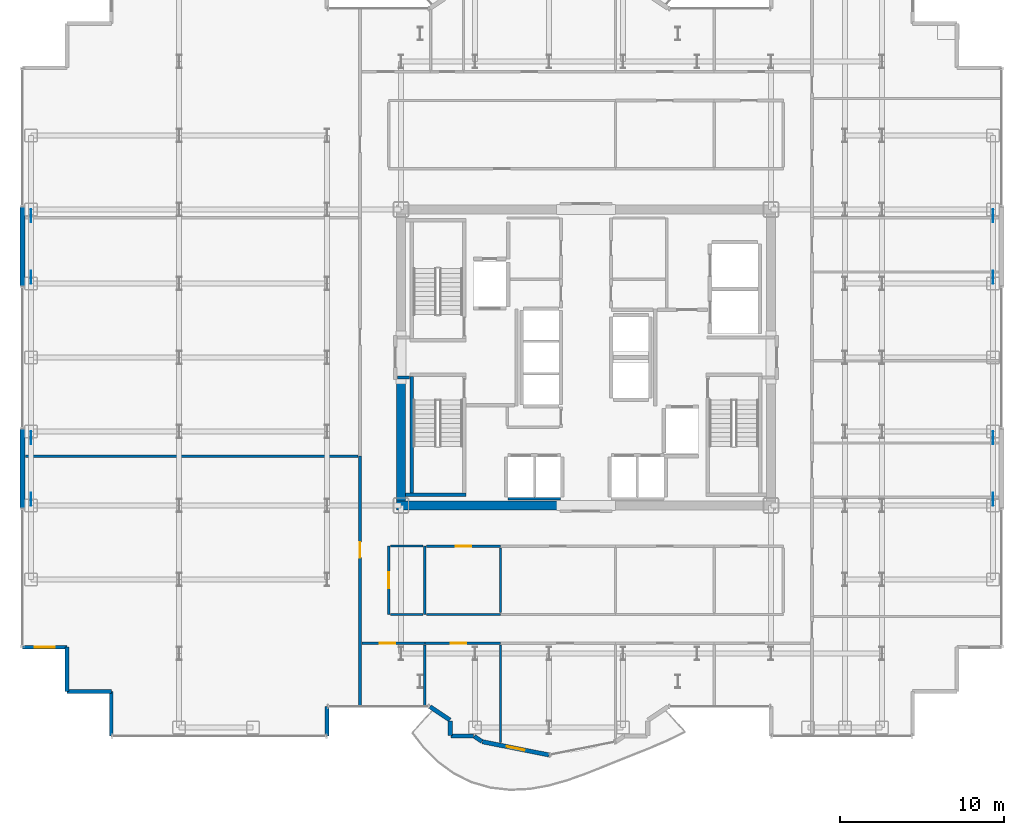
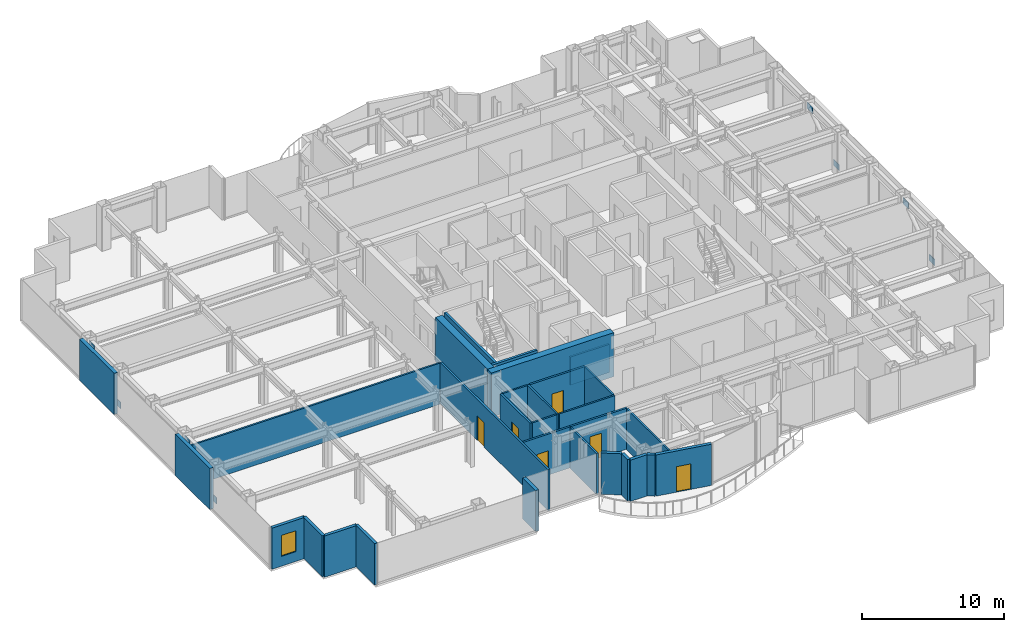
# One storey, part 18 of 26: 31 walls, 8 plates, 6 doors, 1 window, 7 openings.
"""IFC4 building model written with IfcOpenShell, lengths in metres."""

from ifc_helpers import new_model, si_unit, direction, frame, frame_2d, origin, origin_2d, place, context, subcontext, project, spatial, rectangle, extrude, source, transform, mapped, material, layer, layer_set, type_object, element, fill, save


model = new_model("IFC4")

# Units and contexts
model_context = context("Model", 3, precision=1e-05, world=origin(), true_north=direction((0.0, 1.0)))
body_context = subcontext(model_context, "Body", "Model", "MODEL_VIEW")
ifc_project = project(units=[si_unit("LENGTHUNIT", "METRE"), si_unit("AREAUNIT", "SQUARE_METRE"), si_unit("VOLUMEUNIT", "CUBIC_METRE"), si_unit("PLANEANGLEUNIT", "RADIAN"), si_unit("MASSUNIT", "GRAM", prefix="KILO")], contexts=[model_context])

# Site, building, storey
site_placement = place(None, origin())
site = spatial("IfcSite", under=ifc_project, at=site_placement, CompositionType="ELEMENT")
building_placement = place(site_placement, origin())
building = spatial("IfcBuilding", under=site, at=building_placement, Name="Nefas-Gora Pilgrimage Tower", CompositionType="ELEMENT")
storey_placement = place(building_placement, frame((0.0, 0.0, 171.60009765625)))
storey = spatial("IfcBuildingStorey", under=building, at=storey_placement, Name="L42", CompositionType="ELEMENT", Elevation=171.60009765625)

# Plates
ifc_material_1 = material(Name="Steel S460", Category="steel")
ifc_layer_1 = layer(ifc_material_1, 0.050048828125)
ifc_layer_set_1 = layer_set([ifc_layer_1], Name="Steel S460")
plate_type = type_object("IfcPlateType", Name="PLT-NODE-N08", PredefinedType="USERDEFINED", material=ifc_layer_set_1)
shared_shape_1 = source(origin(), body_context, "Body", "SweptSolid", [
    extrude(rectangle(XDim=0.780029296875, YDim=0.0380859375, at=origin_2d()), origin(), (0.0, 0.0, 1.0), 0.5400390625),
])
for number, where, z_axis, x_axis, name in (
    (1, (-33.75, -8.612060546875, 0.157470703125), (0.0, 0.0, 1.0), (0.0, 1.0, 0.0), "Structural Node Gusset Plate N08 (L42)"),
    (2, (-33.75, -4.887939453125, 2.822265625), (0.0, 0.0, 1.0), (0.0, 1.0, 0.0), "Structural Node Gusset Plate N08 (L42)"),
    (3, (-33.75, 4.887939453125, 0.157470703125), (0.0, 0.0, 1.0), (0.0, 1.0, 0.0), "Structural Node Gusset Plate N08 (L42)"),
    (4, (-33.75, 8.612060546875, 2.822265625), (0.0, 0.0, 1.0), (0.0, 1.0, 0.0), "Structural Node Gusset Plate N08 (L42)"),
    (5, (24.75, -8.612060546875, 0.157470703125), (0.0, 0.0, 1.0), (0.0, 1.0, 0.0), "Structural Node Gusset Plate N08 (L42)"),
    (6, (24.75, -4.887939453125, 2.822265625), (0.0, 0.0, 1.0), (0.0, 1.0, 0.0), "Structural Node Gusset Plate N08 (L42)"),
    (7, (24.75, 4.887939453125, 0.157470703125), (0.0, 0.0, 1.0), (0.0, 1.0, 0.0), "Structural Node Gusset Plate N08 (L42)"),
    (8, (24.75, 8.612060546875, 2.822265625), (0.0, 0.0, 1.0), (0.0, 1.0, 0.0), "Structural Node Gusset Plate N08 (L42)"),
):
    element("IfcPlate", number, at=place(storey_placement, frame(where, z_axis=z_axis, x_axis=x_axis)), inside=storey, type_object=plate_type, Name=name, ObjectType="GUSSET_PLATE", PredefinedType="USERDEFINED", context=body_context, shape_type="MappedRepresentation", body=[
        mapped(shared_shape_1, transform((0.0, 0.0, 0.0), x_axis=(1.0, 0.0, 0.0), y_axis=(0.0, 1.0, 0.0), z_axis=(0.0, 0.0, 1.0), scale=1.0)),
    ])

# Walls
ifc_material_2 = material(Name="Concrete C60/75", Category="concrete")
ifc_layer_2 = layer(ifc_material_2, 0.550048828125)
ifc_layer_set_2 = layer_set([ifc_layer_2], Name="Concrete C60/75")
wall_type_1 = type_object("IfcWallType", Name="SW-CORE-550", PredefinedType="SHEAR", material=ifc_layer_set_2)
shared_shape_2 = source(origin(), body_context, "Body", "SweptSolid", [
    extrude(rectangle(XDim=9.974853515625, YDim=0.550048828125, at=frame_2d((4.9873046875, 0.0))), origin(), (0.0, 0.0, 1.0), 3.7998046875),
])
wall_1_placement = place(storey_placement, frame((-11.52490234375, -9.0, 0.0), z_axis=(0.0, 0.0, 1.0), x_axis=(1.0, 0.0, 0.0)))
element("IfcWall", 9, at=wall_1_placement, inside=storey, type_object=wall_type_1, Name="L42 Core Shear Wall S-West", PredefinedType="SHEAR", context=body_context, shape_type="MappedRepresentation", body=[
    mapped(shared_shape_2, transform((0.0, 0.0, 0.0), x_axis=(1.0, 0.0, 0.0), y_axis=(0.0, 1.0, 0.0), z_axis=(0.0, 0.0, 1.0), scale=1.0)),
])
shared_shape_3 = source(origin(), body_context, "Body", "SweptSolid", [
    extrude(rectangle(XDim=7.375, YDim=0.550048828125, at=frame_2d((3.6875, 0.0))), origin(), (0.0, 0.0, 1.0), 3.7998046875),
])
wall_2_placement = place(storey_placement, frame((-11.25, -8.72509765625, 0.0), z_axis=(0.0, 0.0, 1.0), x_axis=(0.0, 1.0, 0.0)))
element("IfcWall", 10, at=wall_2_placement, inside=storey, type_object=wall_type_1, Name="L42 Core Shear Wall W-South", PredefinedType="SHEAR", context=body_context, shape_type="MappedRepresentation", body=[
    mapped(shared_shape_3, transform((0.0, 0.0, 0.0), x_axis=(1.0, 0.0, 0.0), y_axis=(0.0, 1.0, 0.0), z_axis=(0.0, 0.0, 1.0), scale=1.0)),
])
ifc_material_3 = material(Name="Precast concrete C40/50", Category="concrete")
ifc_layer_3 = layer(ifc_material_3, 0.260009765625)
ifc_layer_set_3 = layer_set([ifc_layer_3], Name="Precast concrete C40/50")
wall_type_2 = type_object("IfcWallType", Name="EW-PORTAL-260", PredefinedType="SOLIDWALL", material=ifc_layer_set_3)
shared_shape_4 = source(origin(), body_context, "Body", "SweptSolid", [
    extrude(rectangle(XDim=1.800048828125, YDim=0.260009765625, at=frame_2d((0.89990234375, 0.0))), origin(), (0.0, 0.0, 1.0), 3.5498046875),
])
wall_3_placement = place(storey_placement, frame((-15.75, -23.02001953125, 0.0), z_axis=(0.0, 0.0, 1.0), x_axis=(0.0, 1.0, 0.0)))
element("IfcWall", 11, at=wall_3_placement, inside=storey, type_object=wall_type_2, Name="L42 Lobe Shoulder Precast Spandrel Pier 33", PredefinedType="SOLIDWALL", context=body_context, shape_type="MappedRepresentation", body=[
    mapped(shared_shape_4, transform((0.0, 0.0, 0.0), x_axis=(1.0, 0.0, 0.0), y_axis=(0.0, 1.0, 0.0), z_axis=(0.0, 0.0, 1.0), scale=1.0)),
])

# Wall, opening, window
ifc_material_4 = material(Name="Precast concrete C45/55", Category="concrete")
ifc_layer_4 = layer(ifc_material_4, 0.239990234375)
ifc_layer_set_4 = layer_set([ifc_layer_4], Name="Precast concrete C45/55")
wall_type_3 = type_object("IfcWallType", Name="EW-SERR-240", PredefinedType="SHEAR", material=ifc_layer_set_4)
shared_shape_5 = source(origin(), body_context, "Body", "SweptSolid", [
    extrude(rectangle(XDim=2.699951171875, YDim=0.239990234375, at=frame_2d((1.35009765625, 0.0))), origin(), (0.0, 0.0, 1.0), 3.5498046875),
])
wall_4_placement = place(storey_placement, frame((-34.27001953125, -17.6201171875, 0.0), z_axis=(0.0, 0.0, 1.0), x_axis=(1.0, 0.0, 0.0)))
wall_4 = element("IfcWall", 12, at=wall_4_placement, inside=storey, type_object=wall_type_3, Name="L42 Serrated Corner Shear Pier Wall 29", PredefinedType="SHEAR", context=body_context, shape_type="MappedRepresentation", body=[
    mapped(shared_shape_5, transform((0.0, 0.0, 0.0), x_axis=(1.0, 0.0, 0.0), y_axis=(0.0, 1.0, 0.0), z_axis=(0.0, 0.0, 1.0), scale=1.0)),
])
opening_1_placement = place(wall_4_placement, frame((0.75, 0.0, 0.85009765625)))
opening_1 = element("IfcOpeningElement", 13, at=opening_1_placement, cuts=wall_4, Name="Opening W-V1", PredefinedType="OPENING", context=body_context, shape_type="SweptSolid", body=[
    extrude(rectangle(XDim=1.199951171875, YDim=1.800048828125, at=frame_2d((0.60009765625, 0.89990234375))), frame((0.0, 0.1298828125, 0.0), z_axis=(0.0, -1.0, 0.0), x_axis=(1.0, 0.0, 0.0)), (0.0, 0.0, 1.0), 0.260009765625),
])
ifc_material_5 = material(Name="Dark ceramic-fritted operable aluminium-glass window", Category="aluminium")
window_type = type_object("IfcWindowType", Name="WIN-VENT-1200x1800", PartitioningType="SINGLE_PANEL", PredefinedType="WINDOW", material=ifc_material_5)
shared_shape_6 = source(origin(), body_context, "Body", "SweptSolid", [
    extrude(rectangle(XDim=1.199951171875, YDim=1.800048828125, at=frame_2d((0.60009765625, 0.89990234375))), frame((0.0, 0.030029296875, 0.0), z_axis=(0.0, -1.0, 0.0), x_axis=(1.0, 0.0, 0.0)), (0.0, 0.0, 1.0), 0.06005859375),
])
window_placement = place(opening_1_placement, origin())
window = element("IfcWindow", 14, at=window_placement, inside=storey, type_object=window_type, Name="L42 Operable Parallel-Outswing Window 29", OverallHeight=1.800048828125, OverallWidth=1.199951171875, PartitioningType="SINGLE_PANEL", PredefinedType="WINDOW", context=body_context, shape_type="MappedRepresentation", body=[
    mapped(shared_shape_6, transform((0.0, 0.0, 0.0), x_axis=(1.0, 0.0, 0.0), y_axis=(0.0, 1.0, 0.0), z_axis=(0.0, 0.0, 1.0), scale=1.0)),
])
fill(opening_1, window)

# Walls
for number, where, z_axis, x_axis, name in (
    (15, (-31.570068359375, -17.6201171875, 0.0), (0.0, 0.0, 1.0), (0.0, -1.0, 0.0), "L42 Serrated Corner Shear Pier Wall 30"),
    (16, (-31.570068359375, -20.320068359375, 0.0), (0.0, 0.0, 1.0), (1.0, 0.0, 0.0), "L42 Serrated Corner Shear Pier Wall 31"),
    (17, (-28.8701171875, -20.320068359375, 0.0), (0.0, 0.0, 1.0), (0.0, -1.0, 0.0), "L42 Serrated Corner Shear Pier Wall 32"),
):
    element("IfcWall", number, at=place(storey_placement, frame(where, z_axis=z_axis, x_axis=x_axis)), inside=storey, type_object=wall_type_3, Name=name, PredefinedType="SHEAR", context=body_context, shape_type="MappedRepresentation", body=[
        mapped(shared_shape_5, transform((0.0, 0.0, 0.0), x_axis=(1.0, 0.0, 0.0), y_axis=(0.0, 1.0, 0.0), z_axis=(0.0, 0.0, 1.0), scale=1.0)),
    ])
shared_shape_7 = source(origin(), body_context, "Body", "SweptSolid", [
    extrude(rectangle(XDim=1.468994140625, YDim=0.260009765625, at=frame_2d((0.734375, 0.0))), origin(), (0.0, 0.0, 1.0), 3.5498046875),
])
wall_5_placement = place(storey_placement, frame((-9.49462890625, -21.235595703125, 0.0), z_axis=(0.0, 0.0, 1.0), x_axis=(0.831461760506, -0.555581983884, 0.0)))
element("IfcWall", 18, at=wall_5_placement, inside=storey, type_object=wall_type_2, Name="L42 Lobe Shoulder Precast Spandrel Pier 34", PredefinedType="SOLIDWALL", context=body_context, shape_type="MappedRepresentation", body=[
    mapped(shared_shape_7, transform((0.0, 0.0, 0.0), x_axis=(1.0, 0.0, 0.0), y_axis=(0.0, 1.0, 0.0), z_axis=(0.0, 0.0, 1.0), scale=1.0)),
])
shared_shape_8 = source(origin(), body_context, "Body", "SweptSolid", [
    extrude(rectangle(XDim=0.896728515625, YDim=0.260009765625, at=frame_2d((0.4482421875, 0.0))), origin(), (0.0, 0.0, 1.0), 3.5498046875),
])
wall_6_placement = place(storey_placement, frame((-8.25, -22.09521484375, 0.0), z_axis=(0.0, 0.0, 1.0), x_axis=(0.0, -1.0, 0.0)))
element("IfcWall", 19, at=wall_6_placement, inside=storey, type_object=wall_type_2, Name="L42 Lobe Shoulder Precast Spandrel Pier 35", PredefinedType="SOLIDWALL", context=body_context, shape_type="MappedRepresentation", body=[
    mapped(shared_shape_8, transform((0.0, 0.0, 0.0), x_axis=(1.0, 0.0, 0.0), y_axis=(0.0, 1.0, 0.0), z_axis=(0.0, 0.0, 1.0), scale=1.0)),
])
shared_shape_9 = source(origin(), body_context, "Body", "SweptSolid", [
    extrude(rectangle(XDim=1.369873046875, YDim=0.260009765625, at=frame_2d((0.68505859375, 0.0))), origin(), (0.0, 0.0, 1.0), 3.5498046875),
])
wall_7_placement = place(storey_placement, frame((-8.221923828125, -23.02001953125, 0.0), z_axis=(0.0, 0.0, 1.0), x_axis=(1.0, 0.0, 0.0)))
element("IfcWall", 20, at=wall_7_placement, inside=storey, type_object=wall_type_2, Name="L42 Lobe Shoulder Precast Spandrel Pier 36", PredefinedType="SOLIDWALL", context=body_context, shape_type="MappedRepresentation", body=[
    mapped(shared_shape_9, transform((0.0, 0.0, 0.0), x_axis=(1.0, 0.0, 0.0), y_axis=(0.0, 1.0, 0.0), z_axis=(0.0, 0.0, 1.0), scale=1.0)),
])
shared_shape_10 = source(origin(), body_context, "Body", "SweptSolid", [
    extrude(rectangle(XDim=0.5654296875, YDim=0.260009765625, at=frame_2d((0.28271484375, 0.0))), origin(), (0.0, 0.0, 1.0), 3.5498046875),
])
wall_8_placement = place(storey_placement, frame((-6.80078125, -23.03564453125, 0.0), z_axis=(0.0, 0.0, 1.0), x_axis=(0.831651492666, -0.555297933317, 0.0)))
element("IfcWall", 21, at=wall_8_placement, inside=storey, type_object=wall_type_2, Name="L42 Lobe Shoulder Precast Spandrel Pier 37", PredefinedType="SOLIDWALL", context=body_context, shape_type="MappedRepresentation", body=[
    mapped(shared_shape_10, transform((0.0, 0.0, 0.0), x_axis=(1.0, 0.0, 0.0), y_axis=(0.0, 1.0, 0.0), z_axis=(0.0, 0.0, 1.0), scale=1.0)),
])
shared_shape_11 = source(origin(), body_context, "Body", "SweptSolid", [
    extrude(rectangle(XDim=4.8798828125, YDim=0.300048828125, at=frame_2d((2.43994140625, 0.0))), origin(), (0.0, 0.0, 1.0), 3.5498046875),
])
for number, where, z_axis, x_axis, name in (
    (22, (-34.27001953125, -9.18994140625, 0.0), (0.0, 0.0, 1.0), (0.0, 1.0, 0.0), "L42 Braced-Tube Precast Shear Cladding 1"),
    (23, (-34.27001953125, 4.31005859375, 0.0), (0.0, 0.0, 1.0), (0.0, 1.0, 0.0), "L42 Braced-Tube Precast Shear Cladding 2"),
):
    element("IfcWall", number, at=place(storey_placement, frame(where, z_axis=z_axis, x_axis=x_axis)), inside=storey, type_object=wall_type_3, Name=name, PredefinedType="SHEAR", context=body_context, shape_type="MappedRepresentation", body=[
        mapped(shared_shape_11, transform((0.0, 0.0, 0.0), x_axis=(1.0, 0.0, 0.0), y_axis=(0.0, 1.0, 0.0), z_axis=(0.0, 0.0, 1.0), scale=1.0)),
    ])

# Wall, opening, door
shared_shape_12 = source(origin(), body_context, "Body", "SweptSolid", [
    extrude(rectangle(XDim=4.136962890625, YDim=0.260009765625, at=frame_2d((2.068359375, 0.0))), origin(), (0.0, 0.0, 1.0), 3.5498046875),
])
wall_9_placement = place(storey_placement, frame((-6.307373046875, -23.365234375, 0.0), z_axis=(0.0, 0.0, 1.0), x_axis=(0.980782170794, -0.195105954428, 0.0)))
wall_9 = element("IfcWall", 24, at=wall_9_placement, inside=storey, type_object=wall_type_2, Name="L42 Insulated Terrace Portal Wall 38", PredefinedType="SOLIDWALL", context=body_context, shape_type="MappedRepresentation", body=[
    mapped(shared_shape_12, transform((0.0, 0.0, 0.0), x_axis=(1.0, 0.0, 0.0), y_axis=(0.0, 1.0, 0.0), z_axis=(0.0, 0.0, 1.0), scale=1.0)),
])
opening_2_placement = place(wall_9_placement, frame((1.518310546875, 0.0, 0.0)))
opening_2 = element("IfcOpeningElement", 25, at=opening_2_placement, cuts=wall_9, Name="Opening ED-B1", PredefinedType="OPENING", context=body_context, shape_type="SweptSolid", body=[
    extrude(rectangle(XDim=1.10009765625, YDim=2.199951171875, at=frame_2d((0.550048828125, 1.10009765625))), frame((0.0, 0.139892578125, 0.0), z_axis=(0.0, -1.0, 0.0), x_axis=(1.0, 0.0, 0.0)), (0.0, 0.0, 1.0), 0.280029296875),
])
ifc_material_6 = material(Name="Thermally broken glazed aluminium balcony door", Category="aluminium")
door_type_1 = type_object("IfcDoorType", Name="DR-EXT-BAL-1100", OperationType="NOTDEFINED", PredefinedType="DOOR", material=ifc_material_6)
shared_shape_13 = source(origin(), body_context, "Body", "SweptSolid", [
    extrude(rectangle(XDim=1.10009765625, YDim=2.199951171875, at=frame_2d((0.550048828125, 1.10009765625))), frame((0.0, 0.02490234375, 0.0), z_axis=(0.0, -1.0, 0.0), x_axis=(1.0, 0.0, 0.0)), (0.0, 0.0, 1.0), 0.050048828125),
])
door_1_placement = place(opening_2_placement, origin())
door_1 = element("IfcDoor", 26, at=door_1_placement, inside=storey, type_object=door_type_1, Name="L42 Exterior Door (L42 S Lobe Wave Balcony)", OperationType="SINGLE_SWING_RIGHT", OverallHeight=2.199951171875, OverallWidth=1.10009765625, PredefinedType="DOOR", context=body_context, shape_type="MappedRepresentation", body=[
    mapped(shared_shape_13, transform((0.0, 0.0, 0.0), x_axis=(1.0, 0.0, 0.0), y_axis=(0.0, 1.0, 0.0), z_axis=(0.0, 0.0, 1.0), scale=1.0)),
])
fill(opening_2, door_1)

# Walls
ifc_material_7 = material(Name="Concrete C45/55", Category="concrete")
ifc_layer_5 = layer(ifc_material_7, 0.199951171875)
ifc_layer_set_5 = layer_set([ifc_layer_5], Name="Concrete C45/55")
wall_type_4 = type_object("IfcWallType", Name="IW-STAIR-200", PredefinedType="SOLIDWALL", material=ifc_layer_set_5)
shared_shape_14 = source(origin(), body_context, "Body", "SweptSolid", [
    extrude(rectangle(XDim=7.10009765625, YDim=0.199951171875, at=frame_2d((3.550048828125, 0.0))), origin(), (0.0, 0.0, 1.0), 3.7998046875),
])
wall_10_placement = place(storey_placement, frame((-10.60009765625, -1.14990234375, 0.0), z_axis=(0.0, 0.0, 1.0), x_axis=(0.0, -1.0, 0.0)))
element("IfcWall", 27, at=wall_10_placement, inside=storey, type_object=wall_type_4, Name="L42 Stairwell Shear Wall ST-03-left", PredefinedType="SOLIDWALL", context=body_context, shape_type="MappedRepresentation", body=[
    mapped(shared_shape_14, transform((0.0, 0.0, 0.0), x_axis=(1.0, 0.0, 0.0), y_axis=(0.0, 1.0, 0.0), z_axis=(0.0, 0.0, 1.0), scale=1.0)),
])
shared_shape_15 = source(origin(), body_context, "Body", "SweptSolid", [
    extrude(rectangle(XDim=3.679931640625, YDim=0.199951171875, at=frame_2d((1.83984375, 0.0))), origin(), (0.0, 0.0, 1.0), 3.7998046875),
])
wall_11_placement = place(storey_placement, frame((-10.97998046875, -8.35009765625, 0.0), z_axis=(0.0, 0.0, 1.0), x_axis=(1.0, 0.0, 0.0)))
element("IfcWall", 28, at=wall_11_placement, inside=storey, type_object=wall_type_4, Name="L42 Stairwell Shear Wall ST-03-far", PredefinedType="SOLIDWALL", context=body_context, shape_type="MappedRepresentation", body=[
    mapped(shared_shape_15, transform((0.0, 0.0, 0.0), x_axis=(1.0, 0.0, 0.0), y_axis=(0.0, 1.0, 0.0), z_axis=(0.0, 0.0, 1.0), scale=1.0)),
])
ifc_material_8 = material(Name="Gypsum acoustic stud partition")
ifc_layer_6 = layer(ifc_material_8, 0.159912109375)
ifc_layer_set_6 = layer_set([ifc_layer_6], Name="Gypsum acoustic stud partition")
wall_type_5 = type_object("IfcWallType", Name="IW-CORR-160", PredefinedType="PARTITIONING", material=ifc_layer_set_6)
shared_shape_16 = source(origin(), body_context, "Body", "SweptSolid", [
    extrude(rectangle(XDim=3.199951171875, YDim=0.159912109375, at=frame_2d((1.60009765625, 0.0))), origin(), (0.0, 0.0, 1.0), 2.4248046875),
])
wall_12_placement = place(storey_placement, frame((-4.75, -8.580078125, 0.0), z_axis=(0.0, 0.0, 1.0), x_axis=(1.0, 0.0, 0.0)))
element("IfcWall", 29, at=wall_12_placement, inside=storey, type_object=wall_type_5, Name="L42 Hoistway Wall PL2-W-S", PredefinedType="PARTITIONING", context=body_context, shape_type="MappedRepresentation", body=[
    mapped(shared_shape_16, transform((0.0, 0.0, 0.0), x_axis=(1.0, 0.0, 0.0), y_axis=(0.0, 1.0, 0.0), z_axis=(0.0, 0.0, 1.0), scale=1.0)),
])
ifc_material_9 = material(Name="Gypsum fire-rated shaftwall")
ifc_layer_7 = layer(ifc_material_9, 0.199951171875)
ifc_layer_set_7 = layer_set([ifc_layer_7], Name="Gypsum fire-rated shaftwall")
wall_type_6 = type_object("IfcWallType", Name="IW-FFLOB-200", PredefinedType="PARTITIONING", material=ifc_layer_set_7)
shared_shape_17 = source(origin(), body_context, "Body", "SweptSolid", [
    extrude(rectangle(XDim=0.719970703125, YDim=0.199951171875, at=frame_2d((0.35986328125, 0.0))), origin(), (0.0, 0.0, 1.0), 3.534912109375),
])
wall_13_placement = place(storey_placement, frame((-11.4599609375, -1.219970703125, 0.0), z_axis=(0.0, 0.0, 1.0), x_axis=(1.0, 0.0, 0.0)))
element("IfcWall", 30, at=wall_13_placement, inside=storey, type_object=wall_type_6, Name="L42 FF Lobby West Throat S Wall 8", PredefinedType="PARTITIONING", context=body_context, shape_type="MappedRepresentation", body=[
    mapped(shared_shape_17, transform((0.0, 0.0, 0.0), x_axis=(1.0, 0.0, 0.0), y_axis=(0.0, 1.0, 0.0), z_axis=(0.0, 0.0, 1.0), scale=1.0)),
])
ifc_material_10 = material(Name="Gypsum twin-stud partition")
ifc_layer_8 = layer(ifc_material_10, 0.139892578125)
ifc_layer_set_8 = layer_set([ifc_layer_8], Name="Gypsum twin-stud partition")
wall_type_7 = type_object("IfcWallType", Name="IW-UNIT-140", PredefinedType="PARTITIONING", material=ifc_layer_set_8)
shared_shape_18 = source(origin(), body_context, "Body", "SweptSolid", [
    extrude(rectangle(XDim=20.219970703125, YDim=0.139892578125, at=frame_2d((10.10986328125, 0.0))), origin(), (0.0, 0.0, 1.0), 3.534912109375),
])
wall_14_placement = place(storey_placement, frame((-34.080078125, -6.0048828125, 0.0), z_axis=(0.0, 0.0, 1.0), x_axis=(1.0, 0.0, 0.0)))
element("IfcWall", 31, at=wall_14_placement, inside=storey, type_object=wall_type_7, Name="L42 Pilgrim Tea and Beverage Pantry Partition Wall 33", PredefinedType="PARTITIONING", context=body_context, shape_type="MappedRepresentation", body=[
    mapped(shared_shape_18, transform((0.0, 0.0, 0.0), x_axis=(1.0, 0.0, 0.0), y_axis=(0.0, 1.0, 0.0), z_axis=(0.0, 0.0, 1.0), scale=1.0)),
])

# Wall, opening, door
shared_shape_19 = source(origin(), body_context, "Body", "SweptSolid", [
    extrude(rectangle(XDim=15.244873046875, YDim=0.159912109375, at=frame_2d((7.62255859375, 0.0))), origin(), (0.0, 0.0, 1.0), 3.534912109375),
])
wall_15_placement = place(storey_placement, frame((-13.739990234375, -21.239990234375, 0.0), z_axis=(0.0, 0.0, 1.0), x_axis=(0.0, 1.0, 0.0)))
wall_15 = element("IfcWall", 32, at=wall_15_placement, inside=storey, type_object=wall_type_5, Name="L42 Pilgrim Tea and Beverage Pantry Partition Wall 32", PredefinedType="PARTITIONING", context=body_context, shape_type="MappedRepresentation", body=[
    mapped(shared_shape_19, transform((0.0, 0.0, 0.0), x_axis=(1.0, 0.0, 0.0), y_axis=(0.0, 1.0, 0.0), z_axis=(0.0, 0.0, 1.0), scale=1.0)),
])
opening_3_placement = place(wall_15_placement, frame((9.0625, 0.0, 0.0)))
opening_3 = element("IfcOpeningElement", 33, at=opening_3_placement, cuts=wall_15, Name="Opening ID-GR1", PredefinedType="OPENING", context=body_context, shape_type="SweptSolid", body=[
    extrude(rectangle(XDim=0.949951171875, YDim=2.10009765625, at=frame_2d((0.47509765625, 1.050048828125))), frame((0.0, 0.08984375, 0.0), z_axis=(0.0, -1.0, 0.0), x_axis=(1.0, 0.0, 0.0)), (0.0, 0.0, 1.0), 0.179931640625),
])
ifc_material_11 = material(Name="Solid core oak fire-rated guest entrance door")
door_type_2 = type_object("IfcDoorType", Name="DR-INT-GUEST-950", OperationType="NOTDEFINED", PredefinedType="DOOR", material=ifc_material_11)
shared_shape_20 = source(origin(), body_context, "Body", "SweptSolid", [
    extrude(rectangle(XDim=0.949951171875, YDim=2.10009765625, at=frame_2d((0.47509765625, 1.050048828125))), frame((0.0, 0.02490234375, 0.0), z_axis=(0.0, -1.0, 0.0), x_axis=(1.0, 0.0, 0.0)), (0.0, 0.0, 1.0), 0.050048828125),
])
door_2_placement = place(opening_3_placement, origin())
door_2 = element("IfcDoor", 34, at=door_2_placement, inside=storey, type_object=door_type_2, Name="L42 Pilgrim Tea and Beverage Pantry Door 13", OperationType="SINGLE_SWING_RIGHT", OverallHeight=2.10009765625, OverallWidth=0.949951171875, PredefinedType="DOOR", context=body_context, shape_type="MappedRepresentation", body=[
    mapped(shared_shape_20, transform((0.0, 0.0, 0.0), x_axis=(1.0, 0.0, 0.0), y_axis=(0.0, 1.0, 0.0), z_axis=(0.0, 0.0, 1.0), scale=1.0)),
])
fill(opening_3, door_2)

shared_shape_21 = source(origin(), body_context, "Body", "SweptSolid", [
    extrude(rectangle(XDim=3.8251953125, YDim=0.159912109375, at=frame_2d((1.91259765625, 0.0))), origin(), (0.0, 0.0, 1.0), 3.534912109375),
])
wall_16_placement = place(storey_placement, frame((-13.6201171875, -17.3701171875, 0.0), z_axis=(0.0, 0.0, 1.0), x_axis=(1.0, 0.0, 0.0)))
wall_16 = element("IfcWall", 35, at=wall_16_placement, inside=storey, type_object=wall_type_5, Name="L42 Pilgrim Contemplative Lounge Partition Wall 68", PredefinedType="PARTITIONING", context=body_context, shape_type="MappedRepresentation", body=[
    mapped(shared_shape_21, transform((0.0, 0.0, 0.0), x_axis=(1.0, 0.0, 0.0), y_axis=(0.0, 1.0, 0.0), z_axis=(0.0, 0.0, 1.0), scale=1.0)),
])
opening_4_placement = place(wall_16_placement, frame((1.067138671875, 0.0, 0.0)))
opening_4 = element("IfcOpeningElement", 36, at=opening_4_placement, cuts=wall_16, Name="Opening ID-GR1", PredefinedType="OPENING", context=body_context, shape_type="SweptSolid", body=[
    extrude(rectangle(XDim=0.949951171875, YDim=2.10009765625, at=frame_2d((0.47509765625, 1.050048828125))), frame((0.0, 0.08984375, 0.0), z_axis=(0.0, -1.0, 0.0), x_axis=(1.0, 0.0, 0.0)), (0.0, 0.0, 1.0), 0.179931640625),
])
door_3_placement = place(opening_4_placement, origin())
door_3 = element("IfcDoor", 37, at=door_3_placement, inside=storey, type_object=door_type_2, Name="L42 Pilgrim Contemplative Lounge Door 31", OperationType="SINGLE_SWING_RIGHT", OverallHeight=2.10009765625, OverallWidth=0.949951171875, PredefinedType="DOOR", context=body_context, shape_type="MappedRepresentation", body=[
    mapped(shared_shape_20, transform((0.0, 0.0, 0.0), x_axis=(1.0, 0.0, 0.0), y_axis=(0.0, 1.0, 0.0), z_axis=(0.0, 0.0, 1.0), scale=1.0)),
])
fill(opening_4, door_3)

shared_shape_22 = source(origin(), body_context, "Body", "SweptSolid", [
    extrude(rectangle(XDim=4.60986328125, YDim=0.159912109375, at=frame_2d((2.304931640625, 0.0))), origin(), (0.0, 0.0, 1.0), 3.534912109375),
])
wall_17_placement = place(storey_placement, frame((-9.804931640625, -17.3701171875, 0.0), z_axis=(0.0, 0.0, 1.0), x_axis=(1.0, 0.0, 0.0)))
wall_17 = element("IfcWall", 38, at=wall_17_placement, inside=storey, type_object=wall_type_5, Name="L42 Pilgrim Contemplative Lounge Partition Wall 74", PredefinedType="PARTITIONING", context=body_context, shape_type="MappedRepresentation", body=[
    mapped(shared_shape_22, transform((0.0, 0.0, 0.0), x_axis=(1.0, 0.0, 0.0), y_axis=(0.0, 1.0, 0.0), z_axis=(0.0, 0.0, 1.0), scale=1.0)),
])
opening_5_placement = place(wall_17_placement, frame((1.58203125, 0.0, 0.0)))
opening_5 = element("IfcOpeningElement", 39, at=opening_5_placement, cuts=wall_17, Name="Opening ID-GR1", PredefinedType="OPENING", context=body_context, shape_type="SweptSolid", body=[
    extrude(rectangle(XDim=0.949951171875, YDim=2.10009765625, at=frame_2d((0.47509765625, 1.050048828125))), frame((0.0, 0.08984375, 0.0), z_axis=(0.0, -1.0, 0.0), x_axis=(1.0, 0.0, 0.0)), (0.0, 0.0, 1.0), 0.179931640625),
])
door_4_placement = place(opening_5_placement, origin())
door_4 = element("IfcDoor", 40, at=door_4_placement, inside=storey, type_object=door_type_2, Name="L42 Pilgrim Contemplative Lounge Door 33", OperationType="SINGLE_SWING_RIGHT", OverallHeight=2.10009765625, OverallWidth=0.949951171875, PredefinedType="DOOR", context=body_context, shape_type="MappedRepresentation", body=[
    mapped(shared_shape_20, transform((0.0, 0.0, 0.0), x_axis=(1.0, 0.0, 0.0), y_axis=(0.0, 1.0, 0.0), z_axis=(0.0, 0.0, 1.0), scale=1.0)),
])
fill(opening_5, door_4)

# Walls
shared_shape_23 = source(origin(), body_context, "Body", "SweptSolid", [
    extrude(rectangle(XDim=3.929931640625, YDim=0.139892578125, at=frame_2d((1.96484375, 0.0))), origin(), (0.0, 0.0, 1.0), 3.534912109375),
])
wall_18_placement = place(storey_placement, frame((-5.205078125, -15.52001953125, 0.0), z_axis=(0.0, 0.0, 1.0), x_axis=(0.0, 1.0, 0.0)))
element("IfcWall", 41, at=wall_18_placement, inside=storey, type_object=wall_type_7, Name="L42 Pilgrim Contemplative Lounge Partition Wall 78", PredefinedType="PARTITIONING", context=body_context, shape_type="MappedRepresentation", body=[
    mapped(shared_shape_23, transform((0.0, 0.0, 0.0), x_axis=(1.0, 0.0, 0.0), y_axis=(0.0, 1.0, 0.0), z_axis=(0.0, 0.0, 1.0), scale=1.0)),
])
shared_shape_24 = source(origin(), body_context, "Body", "SweptSolid", [
    extrude(rectangle(XDim=3.75, YDim=0.139892578125, at=frame_2d((1.875, 0.0))), origin(), (0.0, 0.0, 1.0), 3.534912109375),
])
wall_19_placement = place(storey_placement, frame((-9.804931640625, -21.239990234375, 0.0), z_axis=(0.0, 0.0, 1.0), x_axis=(0.0, 1.0, 0.0)))
element("IfcWall", 42, at=wall_19_placement, inside=storey, type_object=wall_type_7, Name="L42 Pilgrim Contemplative Lounge Partition Wall 69", PredefinedType="PARTITIONING", context=body_context, shape_type="MappedRepresentation", body=[
    mapped(shared_shape_24, transform((0.0, 0.0, 0.0), x_axis=(1.0, 0.0, 0.0), y_axis=(0.0, 1.0, 0.0), z_axis=(0.0, 0.0, 1.0), scale=1.0)),
])
shared_shape_25 = source(origin(), body_context, "Body", "SweptSolid", [
    extrude(rectangle(XDim=4.179931640625, YDim=0.139892578125, at=frame_2d((2.08984375, 0.0))), origin(), (0.0, 0.0, 1.0), 3.534912109375),
])
wall_20_placement = place(storey_placement, frame((-9.804931640625, -15.639892578125, 0.0), z_axis=(0.0, 0.0, 1.0), x_axis=(0.0, 1.0, 0.0)))
element("IfcWall", 43, at=wall_20_placement, inside=storey, type_object=wall_type_7, Name="L42 Pilgrim Contemplative Lounge Partition Wall 71", PredefinedType="PARTITIONING", context=body_context, shape_type="MappedRepresentation", body=[
    mapped(shared_shape_25, transform((0.0, 0.0, 0.0), x_axis=(1.0, 0.0, 0.0), y_axis=(0.0, 1.0, 0.0), z_axis=(0.0, 0.0, 1.0), scale=1.0)),
])

# Wall, opening, door
shared_shape_26 = source(origin(), body_context, "Body", "SweptSolid", [
    extrude(rectangle(XDim=4.179931640625, YDim=0.159912109375, at=frame_2d((2.08984375, 0.0))), origin(), (0.0, 0.0, 1.0), 3.534912109375),
])
wall_21_placement = place(storey_placement, frame((-12.0, -15.639892578125, 0.0), z_axis=(0.0, 0.0, 1.0), x_axis=(0.0, 1.0, 0.0)))
wall_21 = element("IfcWall", 44, at=wall_21_placement, inside=storey, type_object=wall_type_5, Name="L42 Pilgrim Contemplative Lounge Partition Wall 70", PredefinedType="PARTITIONING", context=body_context, shape_type="MappedRepresentation", body=[
    mapped(shared_shape_26, transform((0.0, 0.0, 0.0), x_axis=(1.0, 0.0, 0.0), y_axis=(0.0, 1.0, 0.0), z_axis=(0.0, 0.0, 1.0), scale=1.0)),
])
opening_6_placement = place(wall_21_placement, frame((1.614990234375, 0.0, 0.0)))
opening_6 = element("IfcOpeningElement", 45, at=opening_6_placement, cuts=wall_21, Name="Opening ID-GR1", PredefinedType="OPENING", context=body_context, shape_type="SweptSolid", body=[
    extrude(rectangle(XDim=0.949951171875, YDim=2.10009765625, at=frame_2d((0.47509765625, 1.050048828125))), frame((0.0, 0.08984375, 0.0), z_axis=(0.0, -1.0, 0.0), x_axis=(1.0, 0.0, 0.0)), (0.0, 0.0, 1.0), 0.179931640625),
])
door_5_placement = place(opening_6_placement, origin())
door_5 = element("IfcDoor", 46, at=door_5_placement, inside=storey, type_object=door_type_2, Name="L42 Pilgrim Contemplative Lounge Door 32", OperationType="SINGLE_SWING_LEFT", OverallHeight=2.10009765625, OverallWidth=0.949951171875, PredefinedType="DOOR", context=body_context, shape_type="MappedRepresentation", body=[
    mapped(shared_shape_20, transform((0.0, 0.0, 0.0), x_axis=(1.0, 0.0, 0.0), y_axis=(0.0, 1.0, 0.0), z_axis=(0.0, 0.0, 1.0), scale=1.0)),
])
fill(opening_6, door_5)

shared_shape_27 = source(origin(), body_context, "Body", "SweptSolid", [
    extrude(rectangle(XDim=4.5, YDim=0.159912109375, at=frame_2d((2.25, 0.0))), origin(), (0.0, 0.0, 1.0), 3.534912109375),
])
wall_22_placement = place(storey_placement, frame((-9.695068359375, -11.469970703125, 0.0), z_axis=(0.0, 0.0, 1.0), x_axis=(1.0, 0.0, 0.0)))
wall_22 = element("IfcWall", 47, at=wall_22_placement, inside=storey, type_object=wall_type_5, Name="L42 Pilgrim Contemplative Lounge Partition Wall 76", PredefinedType="PARTITIONING", context=body_context, shape_type="MappedRepresentation", body=[
    mapped(shared_shape_27, transform((0.0, 0.0, 0.0), x_axis=(1.0, 0.0, 0.0), y_axis=(0.0, 1.0, 0.0), z_axis=(0.0, 0.0, 1.0), scale=1.0)),
])
opening_7_placement = place(wall_22_placement, frame((1.77490234375, 0.0, 0.0)))
opening_7 = element("IfcOpeningElement", 48, at=opening_7_placement, cuts=wall_22, Name="Opening ID-GR1", PredefinedType="OPENING", context=body_context, shape_type="SweptSolid", body=[
    extrude(rectangle(XDim=0.949951171875, YDim=2.10009765625, at=frame_2d((0.47509765625, 1.050048828125))), frame((0.0, 0.08984375, 0.0), z_axis=(0.0, -1.0, 0.0), x_axis=(1.0, 0.0, 0.0)), (0.0, 0.0, 1.0), 0.179931640625),
])
door_6_placement = place(opening_7_placement, origin())
door_6 = element("IfcDoor", 49, at=door_6_placement, inside=storey, type_object=door_type_2, Name="L42 Pilgrim Contemplative Lounge Door 34", OperationType="SINGLE_SWING_LEFT", OverallHeight=2.10009765625, OverallWidth=0.949951171875, PredefinedType="DOOR", context=body_context, shape_type="MappedRepresentation", body=[
    mapped(shared_shape_20, transform((0.0, 0.0, 0.0), x_axis=(1.0, 0.0, 0.0), y_axis=(0.0, 1.0, 0.0), z_axis=(0.0, 0.0, 1.0), scale=1.0)),
])
fill(opening_7, door_6)

# Walls
shared_shape_28 = source(origin(), body_context, "Body", "SweptSolid", [
    extrude(rectangle(XDim=4.5, YDim=0.139892578125, at=frame_2d((2.25, 0.0))), origin(), (0.0, 0.0, 1.0), 3.534912109375),
])
wall_23_placement = place(storey_placement, frame((-9.695068359375, -15.6298828125, 0.0), z_axis=(0.0, 0.0, 1.0), x_axis=(1.0, 0.0, 0.0)))
element("IfcWall", 50, at=wall_23_placement, inside=storey, type_object=wall_type_7, Name="L42 Pilgrim Contemplative Lounge Partition Wall 77", PredefinedType="PARTITIONING", context=body_context, shape_type="MappedRepresentation", body=[
    mapped(shared_shape_28, transform((0.0, 0.0, 0.0), x_axis=(1.0, 0.0, 0.0), y_axis=(0.0, 1.0, 0.0), z_axis=(0.0, 0.0, 1.0), scale=1.0)),
])
shared_shape_29 = source(origin(), body_context, "Body", "SweptSolid", [
    extrude(rectangle(XDim=1.96484375, YDim=0.139892578125, at=frame_2d((0.982421875, 0.0))), origin(), (0.0, 0.0, 1.0), 3.534912109375),
])
for number, where, z_axis, x_axis, name in (
    (51, (-11.8798828125, -11.469970703125, 0.0), (0.0, 0.0, 1.0), (1.0, 0.0, 0.0), "L42 Pilgrim Contemplative Lounge Partition Wall 72"),
    (52, (-11.8798828125, -15.6298828125, 0.0), (0.0, 0.0, 1.0), (1.0, 0.0, 0.0), "L42 Pilgrim Contemplative Lounge Partition Wall 73"),
):
    element("IfcWall", number, at=place(storey_placement, frame(where, z_axis=z_axis, x_axis=x_axis)), inside=storey, type_object=wall_type_7, Name=name, PredefinedType="PARTITIONING", context=body_context, shape_type="MappedRepresentation", body=[
        mapped(shared_shape_29, transform((0.0, 0.0, 0.0), x_axis=(1.0, 0.0, 0.0), y_axis=(0.0, 1.0, 0.0), z_axis=(0.0, 0.0, 1.0), scale=1.0)),
    ])
shared_shape_30 = source(origin(), body_context, "Body", "SweptSolid", [
    extrude(rectangle(XDim=5.921630859375, YDim=0.139892578125, at=frame_2d((2.9609375, 0.0))), origin(), (0.0, 0.0, 1.0), 3.534912109375),
])
wall_24_placement = place(storey_placement, frame((-5.205078125, -23.41162109375, 0.0), z_axis=(0.0, 0.0, 1.0), x_axis=(0.0, 1.0, 0.0)))
element("IfcWall", 53, at=wall_24_placement, inside=storey, type_object=wall_type_7, Name="L42 Pilgrim Contemplative Lounge Partition Wall 75", PredefinedType="PARTITIONING", context=body_context, shape_type="MappedRepresentation", body=[
    mapped(shared_shape_30, transform((0.0, 0.0, 0.0), x_axis=(1.0, 0.0, 0.0), y_axis=(0.0, 1.0, 0.0), z_axis=(0.0, 0.0, 1.0), scale=1.0)),
])

save(model, "model.ifc")
